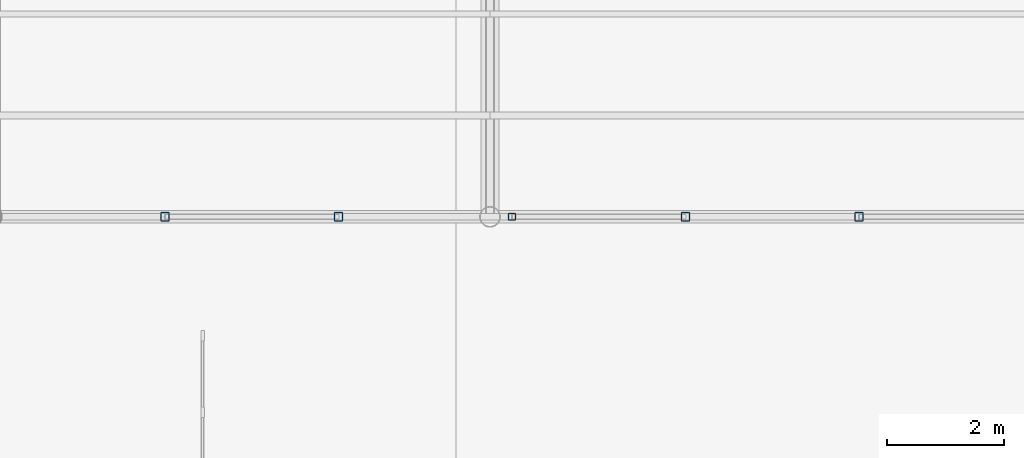
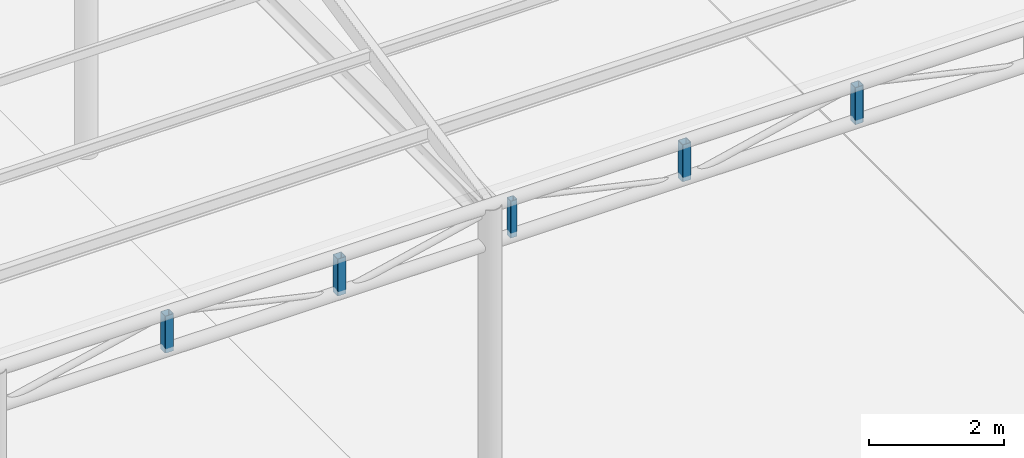
# One storey, part 59 of 118: 5 members.
"""IFC4 building model written with IfcOpenShell, lengths in metres."""

from ifc_helpers import new_model, si_unit, direction, frame, origin, origin_2d, place, context, subcontext, project, spatial, hollow_rectangle, extrude, material, material_profile, profile_set, type_object, element, save


model = new_model("IFC4")

# Units and contexts
model_context = context("Model", 3, precision=1e-05, world=origin(), true_north=direction((0.0, 1.0)))
body_context = subcontext(model_context, "Body", "Model", "MODEL_VIEW")
ifc_project = project(units=[si_unit("LENGTHUNIT", "METRE"), si_unit("AREAUNIT", "SQUARE_METRE"), si_unit("VOLUMEUNIT", "CUBIC_METRE"), si_unit("PLANEANGLEUNIT", "RADIAN"), si_unit("MASSUNIT", "GRAM", prefix="KILO")], contexts=[model_context])

# Site, building, storey
site_placement = place(None, origin())
site = spatial("IfcSite", under=ifc_project, at=site_placement, CompositionType="ELEMENT")
building_placement = place(site_placement, origin())
building = spatial("IfcBuilding", under=site, at=building_placement, Name="Kolvaren Corner Interchange", CompositionType="ELEMENT")
storey_placement = place(building_placement, origin())
storey = spatial("IfcBuildingStorey", under=building, at=storey_placement, Name="L01", CompositionType="ELEMENT", Elevation=0.0)

# Members
ifc_material_1 = material(Name="Steel S355", Category="steel")
ifc_material_profile_1 = material_profile(ifc_material_1, hollow_rectangle(XDim=0.1201171875, YDim=0.1201171875, WallThickness=0.00634765625, InnerFilletRadius=0.00634765625, OuterFilletRadius=0.0126953125, at=origin_2d()), Name="SHS 120x120x6.3")
ifc_profile_set_1 = profile_set([ifc_material_profile_1], Name="Steel S355")
member_type_1 = type_object("IfcMemberType", Name="MEM-PT-SHS120", PredefinedType="POST", material=ifc_profile_set_1)
member_placement = place(storey_placement, frame((136.875, 78.0, 5.64990234375), z_axis=(0.0, 0.0, 1.0), x_axis=(1.0, 0.0, 0.0)))
element("IfcMember", 1, at=member_placement, inside=storey, type_object=member_type_1, Name="Bus Canopy Sawtooth Roof Truss 04 Web Post 04", PredefinedType="POST", context=body_context, shape_type="SweptSolid", body=[
    extrude(hollow_rectangle(XDim=0.1201171875, YDim=0.1201171875, WallThickness=0.00634765625, InnerFilletRadius=0.00634765625, OuterFilletRadius=0.0126953125, at=origin_2d()), origin(), (0.0, 0.0, 1.0), 0.670166015625),
])
ifc_material_2 = material(Name="Steel S355", Category="steel")
ifc_material_profile_2 = material_profile(ifc_material_2, hollow_rectangle(XDim=0.14990234375, YDim=0.14990234375, WallThickness=0.008056640625, InnerFilletRadius=0.008056640625, OuterFilletRadius=0.01611328125, at=origin_2d()), Name="SHS 150x150x8.0")
ifc_profile_set_2 = profile_set([ifc_material_profile_2], Name="Steel S355")
member_type_2 = type_object("IfcMemberType", Name="MEM-PT-SHS150", PredefinedType="POST", material=ifc_profile_set_2)
for number, where, z_axis, x_axis, name in (
    (2, (130.958251953125, 78.0, 5.64990234375), (0.0, 0.0, 1.0), (1.0, 0.0, 0.0), "Bus Canopy Sawtooth Roof Truss 04 Web Post 02"),
    (3, (133.916748046875, 78.0, 5.64990234375), (0.0, 0.0, 1.0), (1.0, 0.0, 0.0), "Bus Canopy Sawtooth Roof Truss 04 Web Post 03"),
    (4, (139.833251953125, 78.0, 5.64990234375), (0.0, 0.0, 1.0), (1.0, 0.0, 0.0), "Bus Canopy Sawtooth Roof Truss 04 Web Post 05"),
    (5, (142.791748046875, 78.0, 5.64990234375), (0.0, 0.0, 1.0), (1.0, 0.0, 0.0), "Bus Canopy Sawtooth Roof Truss 04 Web Post 06"),
):
    element("IfcMember", number, at=place(storey_placement, frame(where, z_axis=z_axis, x_axis=x_axis)), inside=storey, type_object=member_type_2, Name=name, PredefinedType="POST", context=body_context, shape_type="SweptSolid", body=[
        extrude(hollow_rectangle(XDim=0.14990234375, YDim=0.14990234375, WallThickness=0.008056640625, InnerFilletRadius=0.008056640625, OuterFilletRadius=0.01611328125, at=origin_2d()), origin(), (0.0, 0.0, 1.0), 0.670166015625),
    ])

save(model, "model.ifc")
